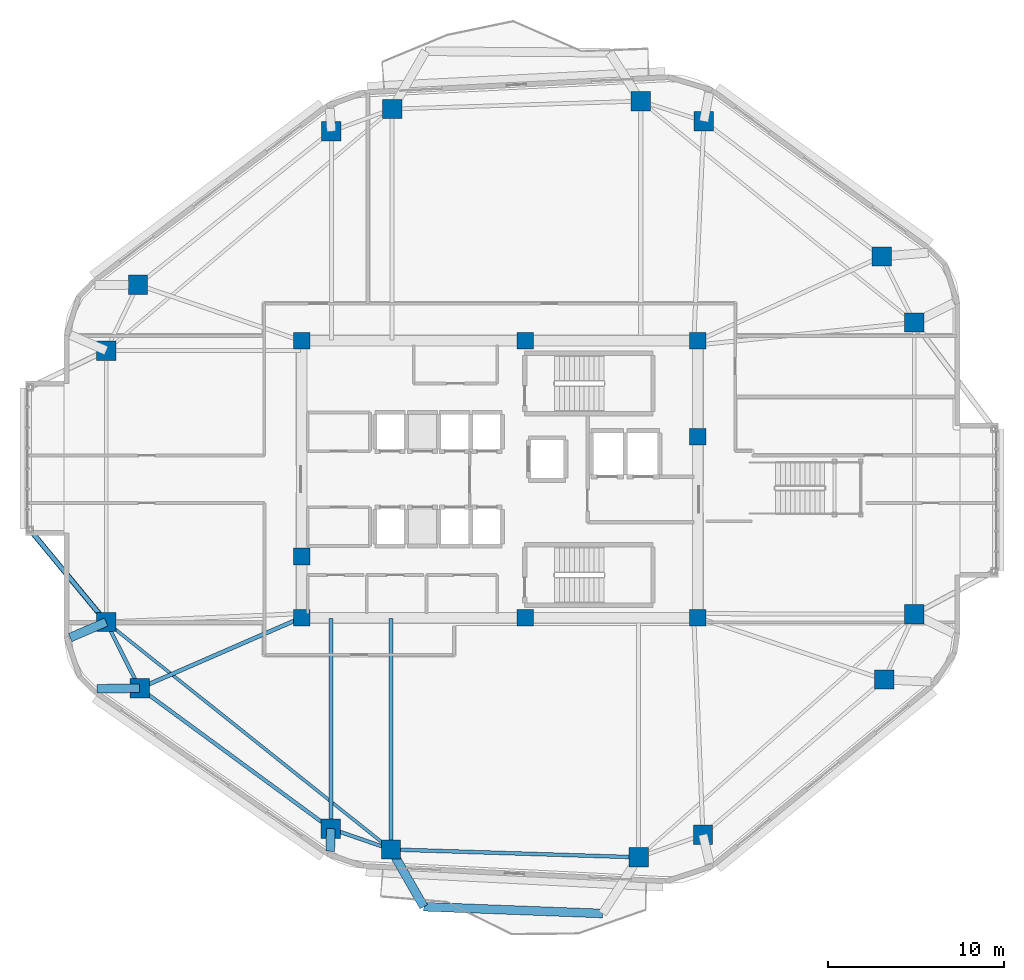
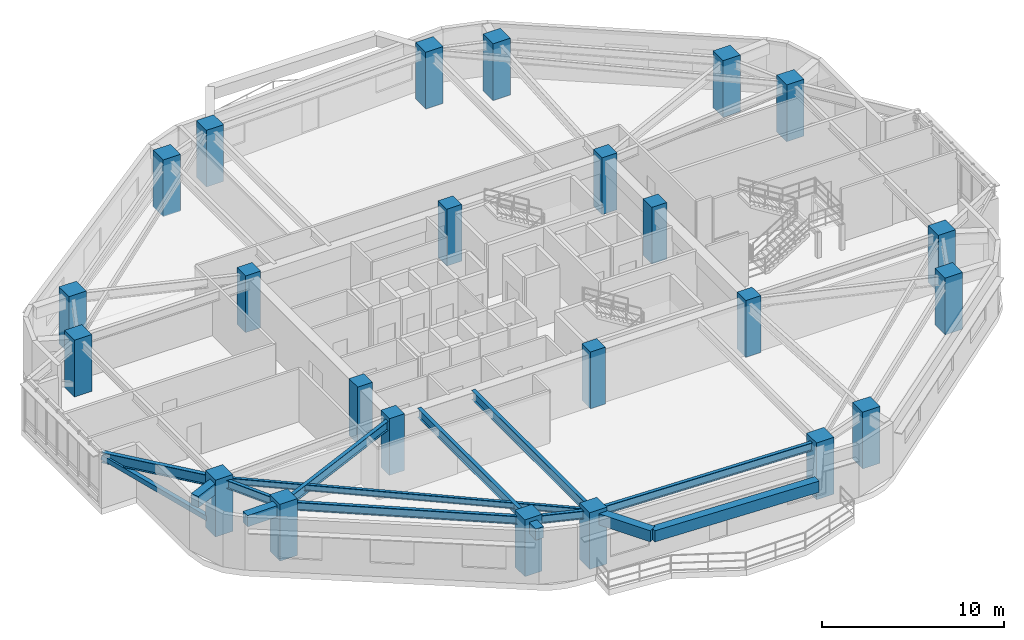
# One storey, part 1 of 16: 24 columns, 14 beams, 1 member.
"""IFC4 building model written with IfcOpenShell, lengths in metres."""

from ifc_helpers import new_model, si_unit, direction, frame, origin, origin_2d, place, context, subcontext, project, spatial, rectangle, hollow_rectangle, i_section, extrude, material, material_profile, profile_set, type_object, element, save


model = new_model("IFC4")

# Units and contexts
model_context = context("Model", 3, precision=1e-05, world=origin(), true_north=direction((0.0, 1.0)))
body_context = subcontext(model_context, "Body", "Model", "MODEL_VIEW")
ifc_project = project(units=[si_unit("LENGTHUNIT", "METRE"), si_unit("AREAUNIT", "SQUARE_METRE"), si_unit("VOLUMEUNIT", "CUBIC_METRE"), si_unit("PLANEANGLEUNIT", "RADIAN"), si_unit("MASSUNIT", "GRAM", prefix="KILO")], contexts=[model_context])

# Site, building, storey
site_placement = place(None, origin())
site = spatial("IfcSite", under=ifc_project, at=site_placement, CompositionType="ELEMENT")
building_placement = place(site_placement, origin())
building = spatial("IfcBuilding", under=site, at=building_placement, Name="Zulverin Broadcast Headquarters", CompositionType="ELEMENT")
storey_placement = place(building_placement, frame((0.0, 0.0, 125.0)))
storey = spatial("IfcBuildingStorey", under=building, at=storey_placement, Name="L31", CompositionType="ELEMENT", Elevation=125.0)

# Columns
ifc_material_1 = material(Name="Concrete C60/75", Category="concrete")
ifc_material_profile_1 = material_profile(ifc_material_1, rectangle(XDim=1.10009765625, YDim=1.10009765625, at=origin_2d()), Name="Concrete C60/75", Category="concrete")
ifc_profile_set_1 = profile_set([ifc_material_profile_1], Name="Concrete C60/75")
column_type_1 = type_object("IfcColumnType", Name="COL-RC-1100", PredefinedType="COLUMN", material=ifc_profile_set_1)
for number, where, z_axis, x_axis, name in (
    (1, (30.80859375, 4.12744140625, 0.0), (0.0, 0.0, 1.0), (1.0, 0.0, 0.0), "L31 Perimeter Column T01"),
    (2, (44.909912109375, 3.68017578125, 0.0), (0.0, 0.0, 1.0), (1.0, 0.0, 0.0), "L31 Perimeter Column T02"),
    (3, (48.569580078125, 4.967041015625, 0.0), (0.0, 0.0, 1.0), (1.0, 0.0, 0.0), "L31 Perimeter Column T03"),
    (4, (58.886962890625, 13.798095703125, 0.0), (0.0, 0.0, 1.0), (1.0, 0.0, 0.0), "L31 Perimeter Column T04"),
    (5, (60.60009765625, 17.519287109375, 0.0), (0.0, 0.0, 1.0), (1.0, 0.0, 0.0), "L31 Perimeter Column T05"),
    (6, (60.60009765625, 34.12158203125, 0.0), (0.0, 0.0, 1.0), (1.0, 0.0, 0.0), "L31 Perimeter Column T06"),
    (7, (58.738037109375, 37.877685546875, 0.0), (0.0, 0.0, 1.0), (1.0, 0.0, 0.0), "L31 Perimeter Column T07"),
    (8, (48.62158203125, 45.574951171875, 0.0), (0.0, 0.0, 1.0), (1.0, 0.0, 0.0), "L31 Perimeter Column T08"),
    (9, (45.027587890625, 46.7236328125, 0.0), (0.0, 0.0, 1.0), (1.0, 0.0, 0.0), "L31 Perimeter Column T09"),
    (10, (30.882080078125, 46.27490234375, 0.0), (0.0, 0.0, 1.0), (1.0, 0.0, 0.0), "L31 Perimeter Column T10"),
    (11, (27.416259765625, 45.00439453125, 0.0), (0.0, 0.0, 1.0), (1.0, 0.0, 0.0), "L31 Perimeter Column T11"),
    (12, (16.40869140625, 36.26806640625, 0.0), (0.0, 0.0, 1.0), (1.0, 0.0, 0.0), "L31 Perimeter Column T12"),
    (13, (14.60009765625, 32.523193359375, 0.0), (0.0, 0.0, 1.0), (1.0, 0.0, 0.0), "L31 Perimeter Column T13"),
    (14, (14.60009765625, 17.072021484375, 0.0), (0.0, 0.0, 1.0), (1.0, 0.0, 0.0), "L31 Perimeter Column T14"),
    (15, (16.50537109375, 13.306884765625, 0.0), (0.0, 0.0, 1.0), (1.0, 0.0, 0.0), "L31 Perimeter Column T15"),
    (16, (27.38720703125, 5.309814453125, 0.0), (0.0, 0.0, 1.0), (1.0, 0.0, 0.0), "L31 Perimeter Column T16"),
):
    element("IfcColumn", number, at=place(storey_placement, frame(where, z_axis=z_axis, x_axis=x_axis)), inside=storey, type_object=column_type_1, Name=name, PredefinedType="COLUMN", context=body_context, shape_type="SweptSolid", body=[
        extrude(rectangle(XDim=1.10009765625, YDim=1.10009765625, at=origin_2d()), origin(), (0.0, 0.0, 1.0), 3.800048828125),
    ])
ifc_material_2 = material(Name="Concrete C50/60", Category="concrete")
ifc_material_profile_2 = material_profile(ifc_material_2, rectangle(XDim=0.949951171875, YDim=0.949951171875, at=origin_2d()), Name="Concrete C50/60", Category="concrete")
ifc_profile_set_2 = profile_set([ifc_material_profile_2], Name="Concrete C50/60")
column_type_2 = type_object("IfcColumnType", Name="PIL-RC-950", PredefinedType="PILASTER", material=ifc_profile_set_2)
for number, where, z_axis, x_axis, name in (
    (17, (25.72509765625, 17.324951171875, 0.0), (0.0, 0.0, 1.0), (1.0, 0.0, 0.0), "L31 Core Pilaster K01"),
    (18, (38.449951171875, 17.324951171875, 0.0), (0.0, 0.0, 1.0), (1.0, 0.0, 0.0), "L31 Core Pilaster K02"),
    (19, (48.27490234375, 17.324951171875, 0.0), (0.0, 0.0, 1.0), (1.0, 0.0, 0.0), "L31 Core Pilaster K03"),
    (20, (48.27490234375, 27.6201171875, 0.0), (0.0, 0.0, 1.0), (1.0, 0.0, 0.0), "L31 Core Pilaster K04"),
    (21, (48.27490234375, 33.074951171875, 0.0), (0.0, 0.0, 1.0), (1.0, 0.0, 0.0), "L31 Core Pilaster K05"),
    (22, (38.449951171875, 33.074951171875, 0.0), (0.0, 0.0, 1.0), (1.0, 0.0, 0.0), "L31 Core Pilaster K06"),
    (23, (25.72509765625, 33.074951171875, 0.0), (0.0, 0.0, 1.0), (1.0, 0.0, 0.0), "L31 Core Pilaster K07"),
    (24, (25.72509765625, 20.800048828125, 0.0), (0.0, 0.0, 1.0), (1.0, 0.0, 0.0), "L31 Core Pilaster K08"),
):
    element("IfcColumn", number, at=place(storey_placement, frame(where, z_axis=z_axis, x_axis=x_axis)), inside=storey, type_object=column_type_2, Name=name, PredefinedType="PILASTER", context=body_context, shape_type="SweptSolid", body=[
        extrude(rectangle(XDim=0.949951171875, YDim=0.949951171875, at=origin_2d()), origin(), (0.0, 0.0, 1.0), 3.800048828125),
    ])

# Beams
ifc_material_3 = material(Name="Concrete C40/50", Category="concrete")
ifc_material_profile_3 = material_profile(ifc_material_3, rectangle(XDim=0.5, YDim=0.75, at=origin_2d()), Name="Concrete C40/50", Category="concrete")
ifc_profile_set_3 = profile_set([ifc_material_profile_3], Name="Concrete C40/50")
beam_type_1 = type_object("IfcBeamType", Name="BM-RC-500x750", PredefinedType="BEAM", material=ifc_profile_set_3)
beam_1_placement = place(storey_placement, frame((14.60009765625, 17.072021484375, 3.1650390625), z_axis=(-0.918101238182, -0.396345955509, 0.0), x_axis=(0.396345955509, -0.918101238182, 0.0)))
element("IfcBeam", 25, at=beam_1_placement, inside=storey, type_object=beam_type_1, Name="L32 Plate Overhang Back-Spanned Beam OVR-14", PredefinedType="BEAM", context=body_context, shape_type="SweptSolid", body=[
    extrude(rectangle(XDim=0.5, YDim=0.75, at=origin_2d()), origin(), (0.0, 0.0, 1.0), 2.23291015625),
])
beam_2_placement = place(storey_placement, frame((16.50537109375, 13.306884765625, 3.1650390625), z_axis=(-0.999905564875, -0.013742682824, 0.0), x_axis=(0.013742682824, -0.999905564875, 0.0)))
element("IfcBeam", 26, at=beam_2_placement, inside=storey, type_object=beam_type_1, Name="L32 Plate Overhang Back-Spanned Beam OVR-15", PredefinedType="BEAM", context=body_context, shape_type="SweptSolid", body=[
    extrude(rectangle(XDim=0.5, YDim=0.75, at=origin_2d()), origin(), (0.0, 0.0, 1.0), 2.433837890625),
])
beam_3_placement = place(storey_placement, frame((27.38720703125, 5.309814453125, 3.1650390625), z_axis=(-0.025087158809, -0.999685267703, 0.0), x_axis=(0.999685267703, -0.025087158809, 0.0)))
element("IfcBeam", 27, at=beam_3_placement, inside=storey, type_object=beam_type_1, Name="L32 Plate Overhang Back-Spanned Beam OVR-16", PredefinedType="BEAM", context=body_context, shape_type="SweptSolid", body=[
    extrude(rectangle(XDim=0.5, YDim=0.75, at=origin_2d()), origin(), (0.0, 0.0, 1.0), 1.28466796875),
])
beam_4_placement = place(storey_placement, frame((30.80859375, 4.12744140625, 3.1650390625), z_axis=(0.498110947666, -0.867113305062, 0.0), x_axis=(0.867113305062, 0.498110947666, 0.0)))
element("IfcBeam", 28, at=beam_4_placement, inside=storey, type_object=beam_type_1, Name="L32 Balcony Column-Framed Cantilever BAL_S-1", PredefinedType="BEAM", context=body_context, shape_type="SweptSolid", body=[
    extrude(rectangle(XDim=0.5, YDim=0.75, at=origin_2d()), origin(), (0.0, 0.0, 1.0), 3.75732421875),
])
beam_5_placement = place(storey_placement, frame((32.68017578125, 0.869384765625, 3.1650390625), z_axis=(0.999275304194, -0.038063978101, 0.0), x_axis=(0.038063978101, 0.999275304194, 0.0)))
element("IfcBeam", 29, at=beam_5_placement, inside=storey, type_object=beam_type_1, Name="L32 Balcony Outer Edge Trimmer Beam BAL_S", PredefinedType="BEAM", context=body_context, shape_type="SweptSolid", body=[
    extrude(rectangle(XDim=0.5, YDim=0.75, at=origin_2d()), origin(), (0.0, 0.0, 1.0), 10.185302734375),
])
ifc_material_4 = material(Name="Structural steel S355JR", Category="steel")
ifc_material_profile_4 = material_profile(ifc_material_4, i_section(OverallWidth=0.179443359375, OverallDepth=0.412841796875, WebThickness=0.009521484375, FlangeThickness=0.01611328125, at=origin_2d()), Name="Structural steel S355JR", Category="steel")
ifc_profile_set_4 = profile_set([ifc_material_profile_4], Name="Structural steel S355JR")
beam_type_2 = type_object("IfcBeamType", Name="BM-UB-406", PredefinedType="JOIST", material=ifc_profile_set_4)
beam_6_placement = place(storey_placement, frame((14.60009765625, 17.072021484375, 3.33349609375), z_axis=(0.781390996609, -0.624041753746, 0.0), x_axis=(0.624041753746, 0.781390996609, 0.0)))
element("IfcBeam", 30, at=beam_6_placement, inside=storey, type_object=beam_type_2, Name="L31 Chordal Floor Joist J-04", PredefinedType="JOIST", context=body_context, shape_type="SweptSolid", body=[
    extrude(i_section(OverallWidth=0.179443359375, OverallDepth=0.412841796875, WebThickness=0.009521484375, FlangeThickness=0.01611328125, at=origin_2d()), origin(), (0.0, 0.0, 1.0), 20.7431640625),
])
ifc_material_profile_5 = material_profile(ifc_material_4, i_section(OverallWidth=0.2119140625, OverallDepth=0.54443359375, WebThickness=0.0126953125, FlangeThickness=0.021240234375, at=origin_2d()), Name="Structural steel S355JR", Category="steel")
ifc_profile_set_5 = profile_set([ifc_material_profile_5], Name="Structural steel S355JR")
beam_type_3 = type_object("IfcBeamType", Name="BM-UB-533", PredefinedType="SPANDREL", material=ifc_profile_set_5)
beam_7_placement = place(storey_placement, frame((30.80859375, 4.12744140625, 3.267578125), z_axis=(0.999497363437, -0.031702058031, 0.0), x_axis=(0.031702058031, 0.999497363437, 0.0)))
element("IfcBeam", 31, at=beam_7_placement, inside=storey, type_object=beam_type_3, Name="L31 Perimeter Spandrel Beam SP-01", PredefinedType="SPANDREL", context=body_context, shape_type="SweptSolid", body=[
    extrude(i_section(OverallWidth=0.2119140625, OverallDepth=0.54443359375, WebThickness=0.0126953125, FlangeThickness=0.021240234375, at=origin_2d()), origin(), (0.0, 0.0, 1.0), 14.1083984375),
])
beam_8_placement = place(storey_placement, frame((14.60009765625, 17.072021484375, 3.267578125), z_axis=(0.451512947895, -0.892264567201, 0.0), x_axis=(0.892264567201, 0.451512947895, 0.0)))
element("IfcBeam", 32, at=beam_8_placement, inside=storey, type_object=beam_type_3, Name="L31 Perimeter Spandrel Beam SP-14", PredefinedType="SPANDREL", context=body_context, shape_type="SweptSolid", body=[
    extrude(i_section(OverallWidth=0.2119140625, OverallDepth=0.54443359375, WebThickness=0.0126953125, FlangeThickness=0.021240234375, at=origin_2d()), origin(), (0.0, 0.0, 1.0), 4.2197265625),
])
beam_9_placement = place(storey_placement, frame((16.50537109375, 13.306884765625, 3.267578125), z_axis=(0.805802234061, -0.592184734338, 0.0), x_axis=(0.592184734338, 0.805802234061, 0.0)))
element("IfcBeam", 33, at=beam_9_placement, inside=storey, type_object=beam_type_3, Name="L31 Perimeter Spandrel Beam SP-15", PredefinedType="SPANDREL", context=body_context, shape_type="SweptSolid", body=[
    extrude(i_section(OverallWidth=0.2119140625, OverallDepth=0.54443359375, WebThickness=0.0126953125, FlangeThickness=0.021240234375, at=origin_2d()), origin(), (0.0, 0.0, 1.0), 13.50439453125),
])
beam_10_placement = place(storey_placement, frame((27.38720703125, 5.309814453125, 3.267578125), z_axis=(0.945152732867, -0.326628705956, 0.0), x_axis=(0.326628705956, 0.945152732867, 0.0)))
element("IfcBeam", 34, at=beam_10_placement, inside=storey, type_object=beam_type_3, Name="L31 Perimeter Spandrel Beam SP-16", PredefinedType="SPANDREL", context=body_context, shape_type="SweptSolid", body=[
    extrude(i_section(OverallWidth=0.2119140625, OverallDepth=0.54443359375, WebThickness=0.0126953125, FlangeThickness=0.021240234375, at=origin_2d()), origin(), (0.0, 0.0, 1.0), 3.619873046875),
])
ifc_material_profile_6 = material_profile(ifc_material_4, i_section(OverallWidth=0.230224609375, OverallDepth=0.6171875, WebThickness=0.01318359375, FlangeThickness=0.022216796875, at=origin_2d()), Name="Structural steel S355JR", Category="steel")
ifc_profile_set_6 = profile_set([ifc_material_profile_6], Name="Structural steel S355JR")
beam_type_4 = type_object("IfcBeamType", Name="BM-UB-610", PredefinedType="BEAM", material=ifc_profile_set_6)
beam_11_placement = place(storey_placement, frame((30.80859375, 17.27490234375, 3.2314453125), z_axis=(0.0, -1.0, 0.0), x_axis=(1.0, 0.0, 0.0)))
element("IfcBeam", 35, at=beam_11_placement, inside=storey, type_object=beam_type_4, Name="L31 Radial Primary Floor Beam RB-01", PredefinedType="BEAM", context=body_context, shape_type="SweptSolid", body=[
    extrude(i_section(OverallWidth=0.230224609375, OverallDepth=0.6171875, WebThickness=0.01318359375, FlangeThickness=0.022216796875, at=origin_2d()), origin(), (0.0, 0.0, 1.0), 13.1474609375),
])
beam_12_placement = place(storey_placement, frame((25.72509765625, 17.324951171875, 3.2314453125), z_axis=(-0.916724690104, -0.39951951461, 0.0), x_axis=(0.39951951461, -0.916724690104, 0.0)))
element("IfcBeam", 36, at=beam_12_placement, inside=storey, type_object=beam_type_4, Name="L31 Radial Primary Floor Beam RB-15", PredefinedType="BEAM", context=body_context, shape_type="SweptSolid", body=[
    extrude(i_section(OverallWidth=0.230224609375, OverallDepth=0.6171875, WebThickness=0.01318359375, FlangeThickness=0.022216796875, at=origin_2d()), origin(), (0.0, 0.0, 1.0), 10.05712890625),
])
beam_13_placement = place(storey_placement, frame((27.38720703125, 17.27490234375, 3.2314453125), z_axis=(0.0, -1.0, 0.0), x_axis=(1.0, 0.0, 0.0)))
element("IfcBeam", 37, at=beam_13_placement, inside=storey, type_object=beam_type_4, Name="L31 Radial Primary Floor Beam RB-16", PredefinedType="BEAM", context=body_context, shape_type="SweptSolid", body=[
    extrude(i_section(OverallWidth=0.230224609375, OverallDepth=0.6171875, WebThickness=0.01318359375, FlangeThickness=0.022216796875, at=origin_2d()), origin(), (0.0, 0.0, 1.0), 11.965087890625),
])
ifc_material_profile_7 = material_profile(ifc_material_4, i_section(OverallWidth=0.255859375, OverallDepth=0.69287109375, WebThickness=0.014404296875, FlangeThickness=0.023681640625, at=origin_2d()), Name="Structural steel S355JR", Category="steel")
ifc_profile_set_7 = profile_set([ifc_material_profile_7], Name="Structural steel S355JR")
beam_type_5 = type_object("IfcBeamType", Name="BM-UB-686", PredefinedType="BEAM", material=ifc_profile_set_7)
beam_14_placement = place(storey_placement, frame((14.60009765625, 17.072021484375, 3.193603515625), z_axis=(-0.636726287974, 0.771089900208, 0.0), x_axis=(-0.771089900208, -0.636726287974, 0.0)))
element("IfcBeam", 38, at=beam_14_placement, inside=storey, type_object=beam_type_5, Name="L31 Studio Box Cantilever Girder SBOX_SKY1_W-1", PredefinedType="BEAM", context=body_context, shape_type="SweptSolid", body=[
    extrude(i_section(OverallWidth=0.255859375, OverallDepth=0.69287109375, WebThickness=0.014404296875, FlangeThickness=0.023681640625, at=origin_2d()), origin(), (0.0, 0.0, 1.0), 6.83203125),
])

# Member
ifc_material_profile_8 = material_profile(ifc_material_4, hollow_rectangle(XDim=0.300048828125, YDim=0.300048828125, WallThickness=0.01611328125, at=origin_2d()), Name="Structural steel S355JR", Category="steel")
ifc_profile_set_8 = profile_set([ifc_material_profile_8], Name="Structural steel S355JR")
member_type = type_object("IfcMemberType", Name="MBR-BLT-DIAG1", PredefinedType="BRACE", material=ifc_profile_set_8)
member_placement = place(storey_placement, frame((14.60009765625, 17.072021484375, 0.35009765625), z_axis=(-0.586421248032, 0.710169361883, 0.389576176504), x_axis=(-0.771089900208, -0.636726287974, 0.0)))
element("IfcMember", 39, at=member_placement, inside=storey, type_object=member_type, Name="L31 Studio Box Raking Knee Brace SBOX_SKY1_W-1", PredefinedType="BRACE", context=body_context, shape_type="SweptSolid", body=[
    extrude(hollow_rectangle(XDim=0.300048828125, YDim=0.300048828125, WallThickness=0.01611328125, at=origin_2d()), origin(), (0.0, 0.0, 1.0), 7.41796875),
])

save(model, "model.ifc")
